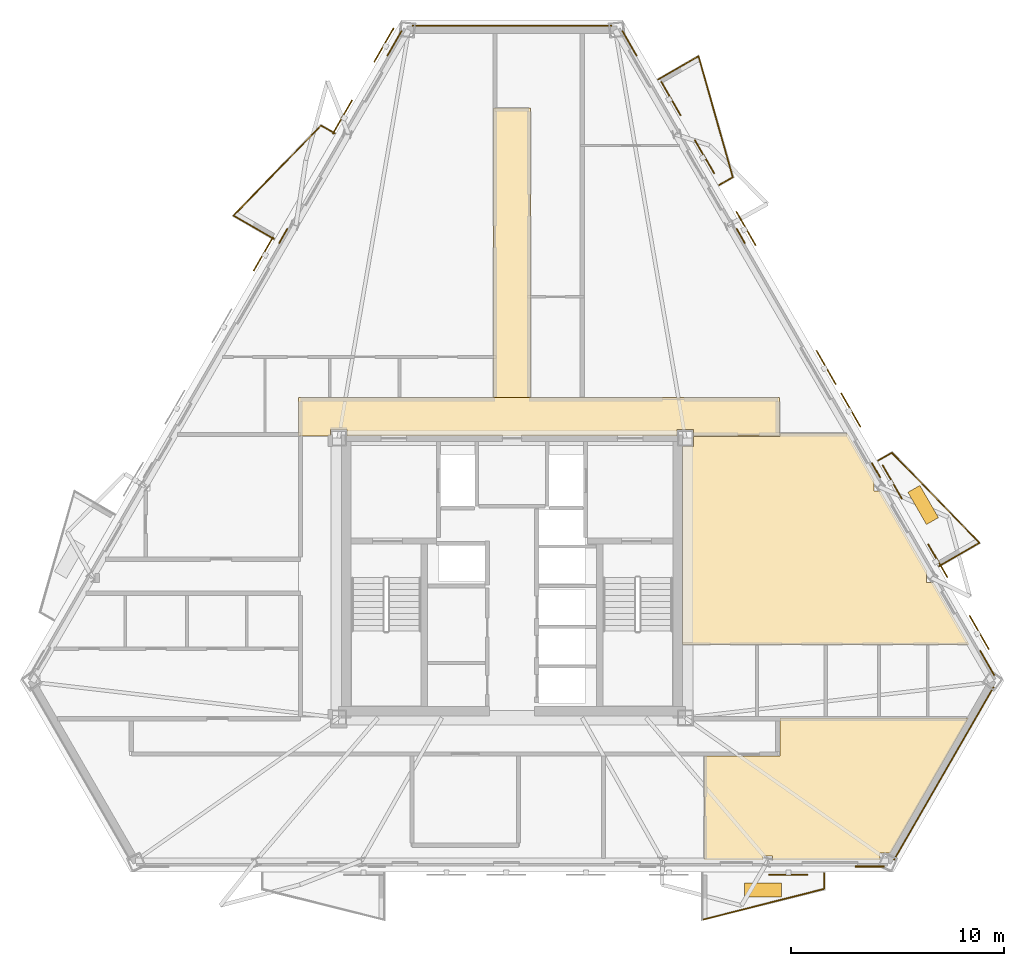
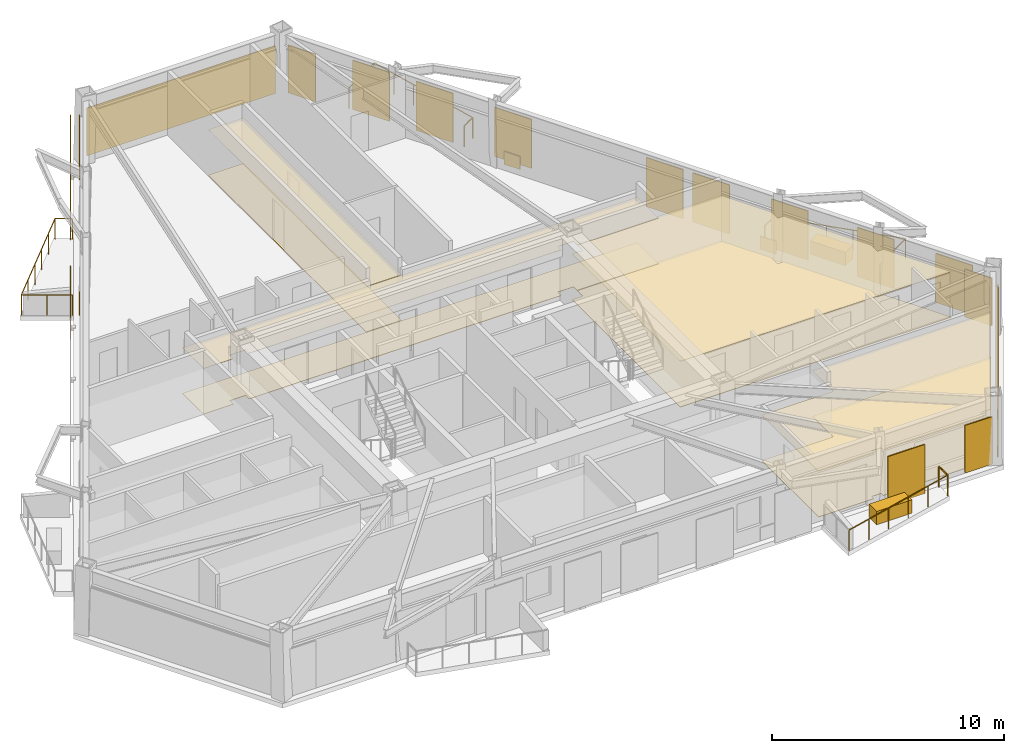
# One storey, part 9 of 9: 19 coverings, 12 shading devices, 11 railings.
"""IFC4 building model written with IfcOpenShell, lengths in metres."""

from ifc_helpers import new_model, si_unit, direction, frame, origin, origin_2d, place, context, subcontext, project, spatial, polyline, rectangle, circle, outline, extrude, material, layer, layer_set, type_object, element, save


model = new_model("IFC4")

# Units and contexts
model_context = context("Model", 3, precision=1e-05, world=origin(), true_north=direction((0.0, 1.0)))
body_context = subcontext(model_context, "Body", "Model", "MODEL_VIEW")
ifc_project = project(units=[si_unit("LENGTHUNIT", "METRE"), si_unit("AREAUNIT", "SQUARE_METRE"), si_unit("VOLUMEUNIT", "CUBIC_METRE"), si_unit("PLANEANGLEUNIT", "RADIAN"), si_unit("MASSUNIT", "GRAM", prefix="KILO")], contexts=[model_context])

# Site, building, storey
site_placement = place(None, origin())
site = spatial("IfcSite", under=ifc_project, at=site_placement, CompositionType="ELEMENT")
building_placement = place(site_placement, origin())
building = spatial("IfcBuilding", under=site, at=building_placement, Name="Oramaril Tower", CompositionType="ELEMENT")
storey_placement = place(building_placement, frame((0.0, 0.0, 142.199951171875)))
storey = spatial("IfcBuildingStorey", under=building, at=storey_placement, Name="L37", CompositionType="ELEMENT", Elevation=142.199951171875)

# Coverings
ifc_material_1 = material(Name="Mineral Fibre Acoustic Ceiling")
ifc_layer_1 = layer(ifc_material_1, 0.02001953125)
ifc_layer_set_1 = layer_set([ifc_layer_1], Name="CVT-CEIL")
covering_type_1 = type_object("IfcCoveringType", Name="CVT-CEIL", PredefinedType="CEILING", material=ifc_layer_set_1)
covering_1_placement = place(storey_placement, frame((0.0, 0.0, 2.400146484375)))
element("IfcCovering", 1, at=covering_1_placement, inside=storey, type_object=covering_type_1, Name="L37 Acoustic Suspended Ceiling 2", PredefinedType="CEILING", context=body_context, shape_type="SweptSolid", body=[
    extrude(outline(polyline([(50.080078125, 24.239990234375), (46.044921875, 24.239990234375), (46.044921875, 24.544921875), (45.2548828125, 24.544921875), (45.2548828125, 24.25), (29.7451171875, 24.25), (29.7451171875, 24.544921875), (28.955078125, 24.544921875), (28.955078125, 24.239990234375), (27.469970703125, 24.239990234375), (27.469970703125, 26.050048828125), (50.080078125, 26.050048828125), (50.080078125, 24.239990234375)])), origin(), (0.0, 0.0, 1.0), 0.02001953125),
])
covering_2_placement = place(storey_placement, frame((0.0, 0.0, 2.400146484375)))
element("IfcCovering", 2, at=covering_2_placement, inside=storey, type_object=covering_type_1, Name="L37 Acoustic Suspended Ceiling 4", PredefinedType="CEILING", context=body_context, shape_type="SweptSolid", body=[
    extrude(outline(polyline([(38.3798828125, 26.070068359375), (36.6201171875, 26.070068359375), (36.6201171875, 39.679931640625), (38.3798828125, 39.679931640625), (38.3798828125, 26.070068359375)])), origin(), (0.0, 0.0, 1.0), 0.02001953125),
])
covering_3_placement = place(storey_placement, frame((0.0, 0.0, 2.400146484375)))
element("IfcCovering", 3, at=covering_3_placement, inside=storey, type_object=covering_type_1, Name="L37 Acoustic Suspended Ceiling 7", PredefinedType="CEILING", context=body_context, shape_type="SweptSolid", body=[
    extrude(outline(polyline([(58.963623046875, 10.991943359375), (55.301513671875, 4.648681640625), (54.797119140625, 4.648681640625), (54.797119140625, 4.30810546875), (49.756591796875, 4.30810546875), (49.756591796875, 4.498291015625), (49.294189453125, 4.498291015625), (49.294189453125, 4.30810546875), (46.54345703125, 4.30810546875), (46.54345703125, 9.199951171875), (50.080078125, 9.199951171875), (50.08203125, 9.2001953125), (50.083984375, 9.200439453125), (50.085693359375, 9.200927734375), (50.087646484375, 9.201416015625), (50.08935546875, 9.202392578125), (50.091064453125, 9.203369140625), (50.0927734375, 9.20458984375), (50.093994140625, 9.205810546875), (50.095458984375, 9.207275390625), (50.0966796875, 9.208984375), (50.09765625, 9.210693359375), (50.098388671875, 9.21240234375), (50.09912109375, 9.214111328125), (50.099609375, 9.216064453125), (50.099853515625, 9.218017578125), (50.10009765625, 9.219970703125), (50.10009765625, 10.991943359375), (58.963623046875, 10.991943359375)])), origin(), (0.0, 0.0, 1.0), 0.02001953125),
])
covering_4_placement = place(storey_placement, frame((0.0, 0.0, 2.400146484375)))
element("IfcCovering", 4, at=covering_4_placement, inside=storey, type_object=covering_type_1, Name="L37 Acoustic Suspended Ceiling 16", PredefinedType="CEILING", context=body_context, shape_type="SweptSolid", body=[
    extrude(outline(polyline([(54.5517578125, 22.1494140625), (54.5224609375, 22.1494140625), (54.5224609375, 21.658935546875), (54.834716796875, 21.658935546875), (57.02490234375, 17.865234375), (57.00048828125, 17.865234375), (57.00048828125, 17.36669921875), (57.31298828125, 17.36669921875), (59.00390625, 14.43798828125), (45.51806640625, 14.43798828125), (45.51806640625, 23.7548828125), (46.044921875, 23.7548828125), (46.044921875, 24.219970703125), (50.080078125, 24.219970703125), (50.08203125, 24.22021484375), (50.083984375, 24.220458984375), (50.085693359375, 24.220947265625), (50.087646484375, 24.221435546875), (50.08935546875, 24.222412109375), (50.091064453125, 24.223388671875), (50.0927734375, 24.224609375), (50.093994140625, 24.225830078125), (50.095458984375, 24.227294921875), (50.0966796875, 24.22900390625), (50.09765625, 24.230712890625), (50.098388671875, 24.232421875), (50.09912109375, 24.234130859375), (50.099609375, 24.236083984375), (50.099853515625, 24.238037109375), (50.10009765625, 24.239990234375), (50.10009765625, 24.362060546875), (53.274169921875, 24.362060546875), (54.5517578125, 22.1494140625)])), origin(), (0.0, 0.0, 1.0), 0.02001953125),
])
ifc_material_2 = material(Name="Warm Cream Limestone", Category="masonry")
ifc_layer_2 = layer(ifc_material_2, 0.050048828125)
ifc_layer_set_2 = layer_set([ifc_layer_2], Name="CVT-CLD")
covering_type_2 = type_object("IfcCoveringType", Name="CVT-CLD", PredefinedType="CLADDING", material=ifc_layer_set_2)
covering_5_placement = place(storey_placement, frame((54.317138671875, 4.007080078125, 0.0400390625), z_axis=(0.0, 0.0, 1.0), x_axis=(1.0, 0.0, 0.0)))
element("IfcCovering", 5, at=covering_5_placement, inside=storey, type_object=covering_type_2, Name="L37 Warm Cream Limestone Cladding", PredefinedType="CLADDING", context=body_context, shape_type="SweptSolid", body=[
    extrude(rectangle(XDim=1.35009765625, YDim=0.050048828125, at=origin_2d()), origin(), (0.0, 0.0, 1.0), 2.5),
])
covering_6_placement = place(storey_placement, frame((57.80224609375, 8.37841796875, 0.0400390625), z_axis=(0.0, 0.0, 1.0), x_axis=(0.4999984885, 0.866026276448, 0.0)))
element("IfcCovering", 6, at=covering_6_placement, inside=storey, type_object=covering_type_2, Name="L37 Warm Cream Limestone Cladding", PredefinedType="CLADDING", context=body_context, shape_type="SweptSolid", body=[
    extrude(rectangle(XDim=9.372314453125, YDim=0.050048828125, at=origin_2d()), origin(), (0.0, 0.0, 1.0), 2.5),
])
for number, where, z_axis, x_axis, name in (
    (7, (59.84521484375, 13.582275390625, 0.0400390625), (0.0, 0.0, 1.0), (-0.4999984885, 0.866026276448, 0.0), "L37 Warm Cream Limestone Cladding"),
    (8, (43.0283203125, 42.71044921875, 0.0400390625), (0.0, 0.0, 1.0), (-0.4999984885, 0.866026276448, 0.0), "L37 Warm Cream Limestone Cladding"),
):
    element("IfcCovering", number, at=place(storey_placement, frame(where, z_axis=z_axis, x_axis=x_axis)), inside=storey, type_object=covering_type_2, Name=name, PredefinedType="CLADDING", context=body_context, shape_type="SweptSolid", body=[
        extrude(rectangle(XDim=1.35009765625, YDim=0.050048828125, at=origin_2d()), origin(), (0.0, 0.0, 1.0), 2.5),
    ])
for number, where, z_axis, x_axis, name in (
    (9, (54.616943359375, 22.63818359375, 0.0400390625), (0.0, 0.0, 1.0), (-0.4999984885, 0.866026276448, 0.0), "L37 Warm Cream Limestone Spandrel Cladding"),
    (10, (48.256591796875, 33.654541015625, 0.0400390625), (0.0, 0.0, 1.0), (-0.4999984885, 0.866026276448, 0.0), "L37 Warm Cream Limestone Spandrel Cladding"),
):
    element("IfcCovering", number, at=place(storey_placement, frame(where, z_axis=z_axis, x_axis=x_axis)), inside=storey, type_object=covering_type_2, Name=name, PredefinedType="CLADDING", context=body_context, shape_type="SweptSolid", body=[
        extrude(rectangle(XDim=0.800048828125, YDim=0.050048828125, at=origin_2d()), origin(), (0.0, 0.0, 1.0), 0.679931640625),
    ])
covering_7_placement = place(storey_placement, frame((37.5, 43.543212890625, 0.0400390625), z_axis=(0.0, 0.0, 1.0), x_axis=(-1.0, 0.0, 0.0)))
element("IfcCovering", 11, at=covering_7_placement, inside=storey, type_object=covering_type_2, Name="L37 Warm Cream Limestone Cladding", PredefinedType="CLADDING", context=body_context, shape_type="SweptSolid", body=[
    extrude(rectangle(XDim=9.372314453125, YDim=0.050048828125, at=origin_2d()), origin(), (0.0, 0.0, 1.0), 2.5),
])
covering_8_placement = place(storey_placement, frame((31.9716796875, 42.71044921875, 0.0400390625), z_axis=(0.0, 0.0, 1.0), x_axis=(-0.4999984885, -0.866026276448, 0.0)))
element("IfcCovering", 12, at=covering_8_placement, inside=storey, type_object=covering_type_2, Name="L37 Warm Cream Limestone Cladding", PredefinedType="CLADDING", context=body_context, shape_type="SweptSolid", body=[
    extrude(rectangle(XDim=1.35009765625, YDim=0.050048828125, at=origin_2d()), origin(), (0.0, 0.0, 1.0), 2.5),
])
covering_9_placement = place(storey_placement, frame((26.743408203125, 33.654541015625, 0.0400390625), z_axis=(0.0, 0.0, 1.0), x_axis=(-0.4999984885, -0.866026276448, 0.0)))
element("IfcCovering", 13, at=covering_9_placement, inside=storey, type_object=covering_type_2, Name="L37 Warm Cream Limestone Spandrel Cladding", PredefinedType="CLADDING", context=body_context, shape_type="SweptSolid", body=[
    extrude(rectangle(XDim=0.800048828125, YDim=0.050048828125, at=origin_2d()), origin(), (0.0, 0.0, 1.0), 0.679931640625),
])
for number, where, z_axis, x_axis, name in (
    (14, (49.3076171875, 2.903564453125, 0.0), (0.0, 0.0, 1.0), (1.0, 0.0, 0.0), "L37 Structural Tree Planter Box L37-BAL-S2"),
    (15, (56.833984375, 21.005615234375, 0.0), (0.0, 0.0, 1.0), (-0.4999984885, 0.866026276448, 0.0), "L37 Structural Tree Planter Box L37-BAL-NE1"),
):
    element("IfcCovering", number, at=place(storey_placement, frame(where, z_axis=z_axis, x_axis=x_axis)), inside=storey, type_object=covering_type_2, Name=name, PredefinedType="CLADDING", context=body_context, shape_type="SweptSolid", body=[
        extrude(rectangle(XDim=1.75, YDim=0.64990234375, at=origin_2d()), origin(), (0.0, 0.0, 1.0), 0.699951171875),
    ])
ifc_material_3 = material(Name="Honed Quartzite Stone Flooring", Category="masonry")
ifc_layer_3 = layer(ifc_material_3, 0.02490234375)
ifc_layer_set_3 = layer_set([ifc_layer_3], Name="CVT-FLR")
covering_type_3 = type_object("IfcCoveringType", Name="CVT-FLR", PredefinedType="FLOORING", material=ifc_layer_set_3)
covering_10_placement = place(storey_placement, origin())
element("IfcCovering", 16, at=covering_10_placement, inside=storey, type_object=covering_type_3, Name="L37 Honed Stone Floor Finish 2", PredefinedType="FLOORING", context=body_context, shape_type="SweptSolid", body=[
    extrude(outline(polyline([(50.080078125, 24.239990234375), (46.044921875, 24.239990234375), (46.044921875, 24.544921875), (45.2548828125, 24.544921875), (45.2548828125, 24.25), (29.7451171875, 24.25), (29.7451171875, 24.544921875), (28.955078125, 24.544921875), (28.955078125, 24.239990234375), (27.469970703125, 24.239990234375), (27.469970703125, 26.050048828125), (50.080078125, 26.050048828125), (50.080078125, 24.239990234375)])), origin(), (0.0, 0.0, 1.0), 0.025146484375),
])
covering_11_placement = place(storey_placement, origin())
element("IfcCovering", 17, at=covering_11_placement, inside=storey, type_object=covering_type_3, Name="L37 Honed Stone Floor Finish 4", PredefinedType="FLOORING", context=body_context, shape_type="SweptSolid", body=[
    extrude(outline(polyline([(38.3798828125, 26.070068359375), (36.6201171875, 26.070068359375), (36.6201171875, 39.679931640625), (38.3798828125, 39.679931640625), (38.3798828125, 26.070068359375)])), origin(), (0.0, 0.0, 1.0), 0.025146484375),
])
covering_12_placement = place(storey_placement, origin())
element("IfcCovering", 18, at=covering_12_placement, inside=storey, type_object=covering_type_3, Name="L37 Honed Stone Floor Finish 7", PredefinedType="FLOORING", context=body_context, shape_type="SweptSolid", body=[
    extrude(outline(polyline([(58.963623046875, 10.991943359375), (55.301513671875, 4.648681640625), (54.797119140625, 4.648681640625), (54.797119140625, 4.30810546875), (49.756591796875, 4.30810546875), (49.756591796875, 4.498291015625), (49.294189453125, 4.498291015625), (49.294189453125, 4.30810546875), (46.54345703125, 4.30810546875), (46.54345703125, 9.199951171875), (50.080078125, 9.199951171875), (50.08203125, 9.2001953125), (50.083984375, 9.200439453125), (50.085693359375, 9.200927734375), (50.087646484375, 9.201416015625), (50.08935546875, 9.202392578125), (50.091064453125, 9.203369140625), (50.0927734375, 9.20458984375), (50.093994140625, 9.205810546875), (50.095458984375, 9.207275390625), (50.0966796875, 9.208984375), (50.09765625, 9.210693359375), (50.098388671875, 9.21240234375), (50.09912109375, 9.214111328125), (50.099609375, 9.216064453125), (50.099853515625, 9.218017578125), (50.10009765625, 9.219970703125), (50.10009765625, 10.991943359375), (58.963623046875, 10.991943359375)])), origin(), (0.0, 0.0, 1.0), 0.025146484375),
])
covering_13_placement = place(storey_placement, origin())
element("IfcCovering", 19, at=covering_13_placement, inside=storey, type_object=covering_type_3, Name="L37 Honed Stone Floor Finish 16", PredefinedType="FLOORING", context=body_context, shape_type="SweptSolid", body=[
    extrude(outline(polyline([(54.5517578125, 22.1494140625), (54.5224609375, 22.1494140625), (54.5224609375, 21.658935546875), (54.834716796875, 21.658935546875), (57.02490234375, 17.865234375), (57.00048828125, 17.865234375), (57.00048828125, 17.36669921875), (57.31298828125, 17.36669921875), (59.00390625, 14.43798828125), (45.51806640625, 14.43798828125), (45.51806640625, 23.7548828125), (46.044921875, 23.7548828125), (46.044921875, 24.219970703125), (50.080078125, 24.219970703125), (50.08203125, 24.22021484375), (50.083984375, 24.220458984375), (50.085693359375, 24.220947265625), (50.087646484375, 24.221435546875), (50.08935546875, 24.222412109375), (50.091064453125, 24.223388671875), (50.0927734375, 24.224609375), (50.093994140625, 24.225830078125), (50.095458984375, 24.227294921875), (50.0966796875, 24.22900390625), (50.09765625, 24.230712890625), (50.098388671875, 24.232421875), (50.09912109375, 24.234130859375), (50.099609375, 24.236083984375), (50.099853515625, 24.238037109375), (50.10009765625, 24.239990234375), (50.10009765625, 24.362060546875), (53.274169921875, 24.362060546875), (54.5517578125, 22.1494140625)])), origin(), (0.0, 0.0, 1.0), 0.025146484375),
])

# Railings
ifc_material_4 = material(Name="Stainless Steel 316L", Category="steel")
railing_type = type_object("IfcRailingType", Name="RLT-GRD", PredefinedType="GUARDRAIL", material=ifc_material_4)
railing_1_placement = place(storey_placement, frame((52.172607421875, 3.692138671875, 0.0)))
element("IfcRailing", 20, at=railing_1_placement, inside=storey, type_object=railing_type, Name="L37 Balcony Guardrail L37-BAL-S2.1", PredefinedType="GUARDRAIL", context=body_context, shape_type="SweptSolid", body=[
    extrude(circle(Radius=0.02392578125, at=origin_2d()), frame((0.0, 0.0, 1.076171875), z_axis=(0.0, -1.0, 0.0), x_axis=(1.0, 0.0, 0.0)), (0.0, 0.0, 1.0), 0.741943359375),
    extrude(circle(Radius=0.02099609375, at=origin_2d()), origin(), (0.0, 0.0, 1.0), 1.052001953125),
    extrude(circle(Radius=0.02099609375, at=origin_2d()), frame((0.0, -0.741943359375, 0.0)), (0.0, 0.0, 1.0), 1.052001953125),
])
railing_2_placement = place(storey_placement, frame((52.172607421875, 2.9501953125, 0.0)))
element("IfcRailing", 21, at=railing_2_placement, inside=storey, type_object=railing_type, Name="L37 Balcony Guardrail L37-BAL-S2.2", PredefinedType="GUARDRAIL", context=body_context, shape_type="SweptSolid", body=[
    extrude(circle(Radius=0.02392578125, at=origin_2d()), frame((0.0, 0.0, 1.076171875), z_axis=(-0.969433787338, -0.245353076131, 0.0), x_axis=(0.245353076131, -0.969433787338, 0.0)), (0.0, 0.0, 1.0), 5.91064453125),
    extrude(circle(Radius=0.02099609375, at=origin_2d()), origin(), (0.0, 0.0, 1.0), 1.052001953125),
    extrude(circle(Radius=0.02099609375, at=origin_2d()), frame((-1.14599609375, -0.2900390625, 0.0)), (0.0, 0.0, 1.0), 1.052001953125),
    extrude(circle(Radius=0.02099609375, at=origin_2d()), frame((-2.2919921875, -0.580078125, 0.0)), (0.0, 0.0, 1.0), 1.052001953125),
    extrude(circle(Radius=0.02099609375, at=origin_2d()), frame((-3.43798828125, -0.8701171875, 0.0)), (0.0, 0.0, 1.0), 1.052001953125),
    extrude(circle(Radius=0.02099609375, at=origin_2d()), frame((-4.583984375, -1.16015625, 0.0)), (0.0, 0.0, 1.0), 1.052001953125),
    extrude(circle(Radius=0.02099609375, at=origin_2d()), frame((-5.72998046875, -1.4501953125, 0.0)), (0.0, 0.0, 1.0), 1.052001953125),
])
railing_3_placement = place(storey_placement, frame((54.718505859375, 23.09228515625, 0.0)))
element("IfcRailing", 22, at=railing_3_placement, inside=storey, type_object=railing_type, Name="L37 Balcony Guardrail L37-BAL-NE1.1", PredefinedType="GUARDRAIL", context=body_context, shape_type="SweptSolid", body=[
    extrude(circle(Radius=0.02392578125, at=origin_2d()), frame((0.0, 0.0, 1.076171875), z_axis=(0.865966403178, 0.500102178127, 0.0), x_axis=(-0.500102178127, 0.865966403178, 0.0)), (0.0, 0.0, 1.0), 0.741943359375),
    extrude(circle(Radius=0.02099609375, at=origin_2d()), origin(), (0.0, 0.0, 1.0), 1.052001953125),
    extrude(circle(Radius=0.02099609375, at=origin_2d()), frame((0.642578125, 0.37109375, 0.0)), (0.0, 0.0, 1.0), 1.052001953125),
])
railing_4_placement = place(storey_placement, frame((55.361083984375, 23.46337890625, 0.0)))
element("IfcRailing", 23, at=railing_4_placement, inside=storey, type_object=railing_type, Name="L37 Balcony Guardrail L37-BAL-NE1.2", PredefinedType="GUARDRAIL", context=body_context, shape_type="SweptSolid", body=[
    extrude(circle(Radius=0.02392578125, at=origin_2d()), frame((0.0, 0.0, 1.076171875), z_axis=(0.697165686546, -0.716910040034, 0.0), x_axis=(0.716910040034, 0.697165686546, 0.0)), (0.0, 0.0, 1.0), 5.910400390625),
    extrude(circle(Radius=0.02099609375, at=origin_2d()), origin(), (0.0, 0.0, 1.0), 1.052001953125),
    extrude(circle(Radius=0.02099609375, at=origin_2d()), frame((0.82421875, -0.847412109375, 0.0)), (0.0, 0.0, 1.0), 1.052001953125),
    extrude(circle(Radius=0.02099609375, at=origin_2d()), frame((1.648193359375, -1.69482421875, 0.0)), (0.0, 0.0, 1.0), 1.052001953125),
    extrude(circle(Radius=0.02099609375, at=origin_2d()), frame((2.472412109375, -2.54248046875, 0.0)), (0.0, 0.0, 1.0), 1.052001953125),
    extrude(circle(Radius=0.02099609375, at=origin_2d()), frame((3.29638671875, -3.389892578125, 0.0)), (0.0, 0.0, 1.0), 1.052001953125),
    extrude(circle(Radius=0.02099609375, at=origin_2d()), frame((4.12060546875, -4.2373046875, 0.0)), (0.0, 0.0, 1.0), 1.052001953125),
])
railing_5_placement = place(storey_placement, frame((59.481689453125, 19.22607421875, 0.0)))
element("IfcRailing", 24, at=railing_5_placement, inside=storey, type_object=railing_type, Name="L37 Balcony Guardrail L37-BAL-NE1.3", PredefinedType="GUARDRAIL", context=body_context, shape_type="SweptSolid", body=[
    extrude(circle(Radius=0.02392578125, at=origin_2d()), frame((0.0, 0.0, 1.076171875), z_axis=(-0.866020500697, -0.5000084923, 0.0), x_axis=(0.5000084923, -0.866020500697, 0.0)), (0.0, 0.0, 1.0), 2.19189453125),
    extrude(circle(Radius=0.02099609375, at=origin_2d()), origin(), (0.0, 0.0, 1.0), 1.052001953125),
    extrude(circle(Radius=0.02099609375, at=origin_2d()), frame((-0.94921875, -0.5478515625, 0.0)), (0.0, 0.0, 1.0), 1.052001953125),
    extrude(circle(Radius=0.02099609375, at=origin_2d()), frame((-1.898193359375, -1.095947265625, 0.0)), (0.0, 0.0, 1.0), 1.052001953125),
])
railing_6_placement = place(storey_placement, frame((44.373291015625, 41.0107421875, 0.0)))
element("IfcRailing", 25, at=railing_6_placement, inside=storey, type_object=railing_type, Name="L37 Balcony Guardrail L37-BAL-NE2.1", PredefinedType="GUARDRAIL", context=body_context, shape_type="SweptSolid", body=[
    extrude(circle(Radius=0.02392578125, at=origin_2d()), frame((0.0, 0.0, 1.076171875), z_axis=(0.866020500697, 0.5000084923, 0.0), x_axis=(-0.5000084923, 0.866020500697, 0.0)), (0.0, 0.0, 1.0), 2.19189453125),
    extrude(circle(Radius=0.02099609375, at=origin_2d()), origin(), (0.0, 0.0, 1.0), 1.052001953125),
    extrude(circle(Radius=0.02099609375, at=origin_2d()), frame((0.94921875, 0.5478515625, 0.0)), (0.0, 0.0, 1.0), 1.052001953125),
    extrude(circle(Radius=0.02099609375, at=origin_2d()), frame((1.898193359375, 1.095947265625, 0.0)), (0.0, 0.0, 1.0), 1.052001953125),
])
railing_7_placement = place(storey_placement, frame((46.271484375, 42.106689453125, 0.0)))
element("IfcRailing", 26, at=railing_7_placement, inside=storey, type_object=railing_type, Name="L37 Balcony Guardrail L37-BAL-NE2.2", PredefinedType="GUARDRAIL", context=body_context, shape_type="SweptSolid", body=[
    extrude(circle(Radius=0.02392578125, at=origin_2d()), frame((0.0, 0.0, 1.076171875), z_axis=(0.272297931824, -0.962212989064, 0.0), x_axis=(0.962212989064, 0.272297931824, 0.0)), (0.0, 0.0, 1.0), 5.910400390625),
    extrude(circle(Radius=0.02099609375, at=origin_2d()), origin(), (0.0, 0.0, 1.0), 1.052001953125),
    extrude(circle(Radius=0.02099609375, at=origin_2d()), frame((0.32177734375, -1.137451171875, 0.0)), (0.0, 0.0, 1.0), 1.052001953125),
    extrude(circle(Radius=0.02099609375, at=origin_2d()), frame((0.643798828125, -2.27490234375, 0.0)), (0.0, 0.0, 1.0), 1.052001953125),
    extrude(circle(Radius=0.02099609375, at=origin_2d()), frame((0.965576171875, -3.412109375, 0.0)), (0.0, 0.0, 1.0), 1.052001953125),
    extrude(circle(Radius=0.02099609375, at=origin_2d()), frame((1.28759765625, -4.549560546875, 0.0)), (0.0, 0.0, 1.0), 1.052001953125),
    extrude(circle(Radius=0.02099609375, at=origin_2d()), frame((1.609375, -5.68701171875, 0.0)), (0.0, 0.0, 1.0), 1.052001953125),
])
railing_8_placement = place(storey_placement, frame((47.880859375, 36.419677734375, 0.0)))
element("IfcRailing", 27, at=railing_8_placement, inside=storey, type_object=railing_type, Name="L37 Balcony Guardrail L37-BAL-NE2.3", PredefinedType="GUARDRAIL", context=body_context, shape_type="SweptSolid", body=[
    extrude(circle(Radius=0.02392578125, at=origin_2d()), frame((0.0, 0.0, 1.076171875), z_axis=(-0.865966403178, -0.500102178127, 0.0), x_axis=(0.500102178127, -0.865966403178, 0.0)), (0.0, 0.0, 1.0), 0.741943359375),
    extrude(circle(Radius=0.02099609375, at=origin_2d()), origin(), (0.0, 0.0, 1.0), 1.052001953125),
    extrude(circle(Radius=0.02099609375, at=origin_2d()), frame((-0.642578125, -0.37109375, 0.0)), (0.0, 0.0, 1.0), 1.052001953125),
])
railing_9_placement = place(storey_placement, frame((26.29931640625, 33.515380859375, 0.0)))
element("IfcRailing", 28, at=railing_9_placement, inside=storey, type_object=railing_type, Name="L37 Balcony Guardrail L37-BAL-NW1.1", PredefinedType="GUARDRAIL", context=body_context, shape_type="SweptSolid", body=[
    extrude(circle(Radius=0.02392578125, at=origin_2d()), frame((0.0, 0.0, 1.076171875), z_axis=(-0.866048343933, 0.499960264392, 0.0), x_axis=(-0.499960264392, -0.866048343933, 0.0)), (0.0, 0.0, 1.0), 2.192138671875),
    extrude(circle(Radius=0.02099609375, at=origin_2d()), origin(), (0.0, 0.0, 1.0), 1.052001953125),
    extrude(circle(Radius=0.02099609375, at=origin_2d()), frame((-0.94921875, 0.5478515625, 0.0)), (0.0, 0.0, 1.0), 1.052001953125),
    extrude(circle(Radius=0.02099609375, at=origin_2d()), frame((-1.8984375, 1.095947265625, 0.0)), (0.0, 0.0, 1.0), 1.052001953125),
])
railing_10_placement = place(storey_placement, frame((24.40087890625, 34.611328125, 0.0)))
element("IfcRailing", 29, at=railing_10_placement, inside=storey, type_object=railing_type, Name="L37 Balcony Guardrail L37-BAL-NW1.2", PredefinedType="GUARDRAIL", context=body_context, shape_type="SweptSolid", body=[
    extrude(circle(Radius=0.02392578125, at=origin_2d()), frame((0.0, 0.0, 1.076171875), z_axis=(0.697186915353, 0.716889395277, 0.0), x_axis=(-0.716889395277, 0.697186915353, 0.0)), (0.0, 0.0, 1.0), 5.91064453125),
    extrude(circle(Radius=0.02099609375, at=origin_2d()), origin(), (0.0, 0.0, 1.0), 1.052001953125),
    extrude(circle(Radius=0.02099609375, at=origin_2d()), frame((0.82421875, 0.847412109375, 0.0)), (0.0, 0.0, 1.0), 1.052001953125),
    extrude(circle(Radius=0.02099609375, at=origin_2d()), frame((1.6484375, 1.69482421875, 0.0)), (0.0, 0.0, 1.0), 1.052001953125),
    extrude(circle(Radius=0.02099609375, at=origin_2d()), frame((2.472412109375, 2.54248046875, 0.0)), (0.0, 0.0, 1.0), 1.052001953125),
    extrude(circle(Radius=0.02099609375, at=origin_2d()), frame((3.296630859375, 3.389892578125, 0.0)), (0.0, 0.0, 1.0), 1.052001953125),
    extrude(circle(Radius=0.02099609375, at=origin_2d()), frame((4.120849609375, 4.2373046875, 0.0)), (0.0, 0.0, 1.0), 1.052001953125),
])
railing_11_placement = place(storey_placement, frame((28.521728515625, 38.8486328125, 0.0)))
element("IfcRailing", 30, at=railing_11_placement, inside=storey, type_object=railing_type, Name="L37 Balcony Guardrail L37-BAL-NW1.3", PredefinedType="GUARDRAIL", context=body_context, shape_type="SweptSolid", body=[
    extrude(circle(Radius=0.02392578125, at=origin_2d()), frame((0.0, 0.0, 1.076171875), z_axis=(0.866108878364, -0.499855389907, 0.0), x_axis=(0.499855389907, 0.866108878364, 0.0)), (0.0, 0.0, 1.0), 0.741943359375),
    extrude(circle(Radius=0.02099609375, at=origin_2d()), origin(), (0.0, 0.0, 1.0), 1.052001953125),
    extrude(circle(Radius=0.02099609375, at=origin_2d()), frame((0.642578125, -0.370849609375, 0.0)), (0.0, 0.0, 1.0), 1.052001953125),
])

# Shading devices
for number, where, z_axis, x_axis, name in (
    (31, (50.49609375, 3.6201171875, -0.02001953125), (0.0, 0.0, 1.0), (1.0, 0.0, 0.0), "L37 Perforated Ceramic Solar Screen"),
    (32, (59.469482421875, 15.00732421875, -0.02001953125), (0.0, 0.0, 1.0), (-0.4999984885, 0.866026276448, 0.0), "L37 Perforated Ceramic Solar Screen"),
    (33, (57.51953125, 18.384765625, -0.02001953125), (0.0, 0.0, 1.0), (-0.4999984885, 0.866026276448, 0.0), "L37 Perforated Ceramic Solar Screen"),
    (34, (55.38037109375, 22.090087890625, -0.02001953125), (0.0, 0.0, 1.0), (-0.4999984885, 0.866026276448, 0.0), "L37 Perforated Ceramic Solar Screen"),
    (35, (53.430419921875, 25.467529296875, -0.02001953125), (0.0, 0.0, 1.0), (-0.4999984885, 0.866026276448, 0.0), "L37 Perforated Ceramic Solar Screen"),
    (36, (52.271484375, 27.474609375, -0.02001953125), (0.0, 0.0, 1.0), (-0.4999984885, 0.866026276448, 0.0), "L37 Perforated Ceramic Solar Screen"),
    (37, (48.502685546875, 34.002197265625, -0.02001953125), (0.0, 0.0, 1.0), (-0.4999984885, 0.866026276448, 0.0), "L37 Perforated Ceramic Solar Screen"),
    (38, (46.552734375, 37.379638671875, -0.02001953125), (0.0, 0.0, 1.0), (-0.4999984885, 0.866026276448, 0.0), "L37 Perforated Ceramic Solar Screen"),
    (39, (44.97119140625, 40.118896484375, -0.02001953125), (0.0, 0.0, 1.0), (-0.4999984885, 0.866026276448, 0.0), "L37 Perforated Ceramic Solar Screen"),
    (40, (31.4775390625, 42.62841796875, -0.02001953125), (0.0, 0.0, 1.0), (-0.4999984885, -0.866026276448, 0.0), "L37 Perforated Ceramic Solar Screen"),
    (41, (29.527587890625, 39.2509765625, -0.02001953125), (0.0, 0.0, 1.0), (-0.4999984885, -0.866026276448, 0.0), "L37 Perforated Ceramic Solar Screen"),
    (42, (25.806884765625, 32.806884765625, -0.02001953125), (0.0, 0.0, 1.0), (-0.4999984885, -0.866026276448, 0.0), "L37 Perforated Ceramic Solar Screen"),
):
    element("IfcShadingDevice", number, at=place(storey_placement, frame(where, z_axis=z_axis, x_axis=x_axis)), inside=storey, Name=name, ObjectType="SCREEN", PredefinedType="USERDEFINED", context=body_context, shape_type="SweptSolid", body=[
        extrude(rectangle(XDim=1.8330078125, YDim=0.050048828125, at=origin_2d()), origin(), (0.0, 0.0, 1.0), 2.580078125),
    ])

save(model, "model.ifc")
